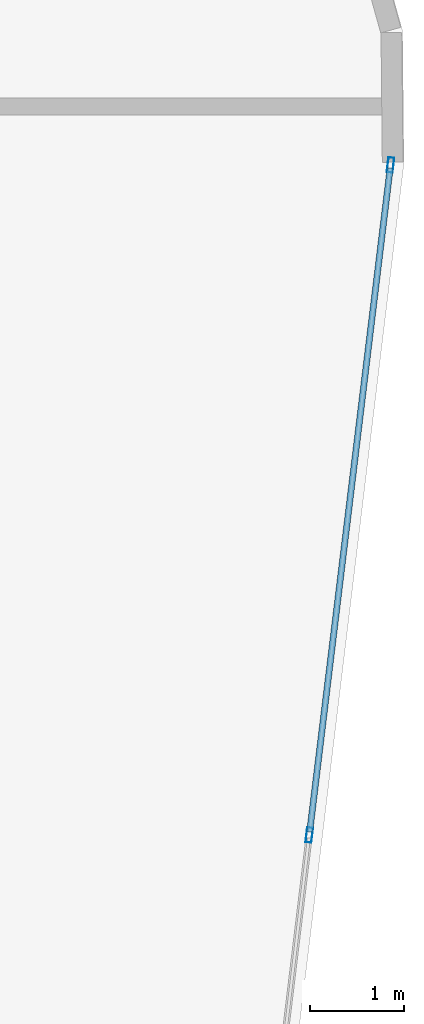
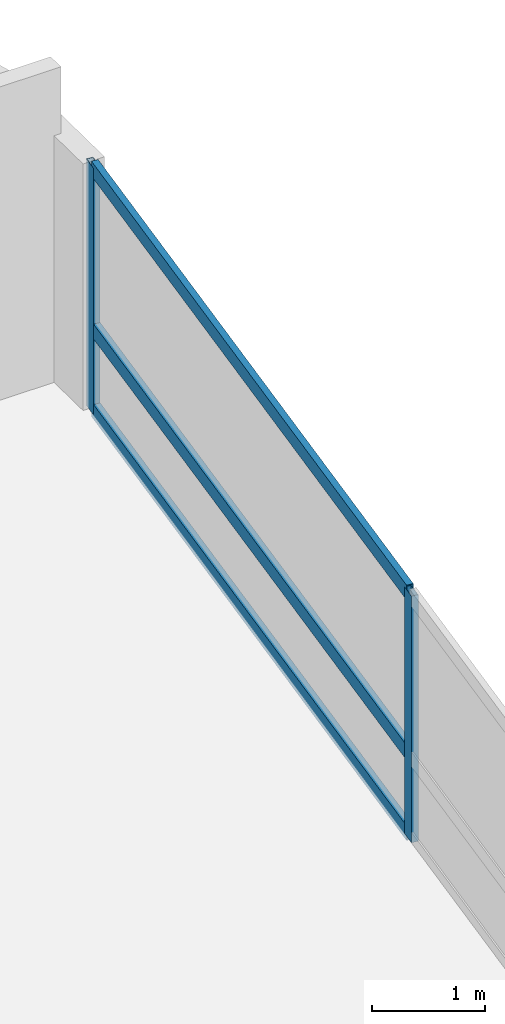
# One storey, part 18 of 26: 5 members, 1 element without a shape of its own.
"""IFC4 building model written with IfcOpenShell, lengths in metres."""

import ifcopenshell
import ifcopenshell.guid

model = None  # the IFC model being written
_history = None  # IfcOwnerHistory: only IFC2X3 demands one
_inside = {}  # id of a spatial element -> (the spatial element, [elements in it])
_under = {}  # id of a project, library or spatial element -> (it, [spatial elements below it])
_declared = {}  # id of a project -> (the project, [libraries it declares])
_typed = {}  # id of a type object -> (the type object, [elements of that type])
_made_of = {}  # id of a material, layer set ... -> (it, [elements and type objects made of it])


def new_model(schema):
    """Start an empty IFC model of exactly this schema.

    Asked for "IFC4X3", IfcOpenShell would pick the latest addendum, in which some entities
    have other attributes; the version numbers below select the first issue.
    IFC2X3 requires an IfcOwnerHistory on every rooted entity: one is made here for all.
    """
    global model, _history
    if schema == "IFC4X3":
        model = ifcopenshell.file(schema_version=(4, 3, 0, 0))
    else:
        model = ifcopenshell.file(schema=schema)
    _inside.clear()
    _under.clear()
    _declared.clear()
    _typed.clear()
    _made_of.clear()
    _history = None
    if model.schema == "IFC2X3":
        org = make("IfcOrganization", Name="unknown")
        user = make(
            "IfcPersonAndOrganization",
            ThePerson=make("IfcPerson", FamilyName="unknown"),
            TheOrganization=org,
        )
        app = make(
            "IfcApplication",
            ApplicationDeveloper=org,
            Version="unknown",
            ApplicationFullName="unknown",
            ApplicationIdentifier="unknown",
        )
        _history = make(
            "IfcOwnerHistory",
            OwningUser=user,
            OwningApplication=app,
            ChangeAction="ADDED",
            CreationDate=0,
        )
    return model


def make(cls, **values):
    """One entity of the class cls with the attributes given. An attribute that is None is left unset."""
    return model.create_entity(
        cls, **{name: value for name, value in values.items() if value is not None}
    )


def rooted(cls, **values):
    """An entity with a GlobalId (a new one), such as an element, a storey or a relation."""
    return make(cls, GlobalId=ifcopenshell.guid.new(), OwnerHistory=_history, **values)


def si_unit(unit_type, name, prefix=None):
    """IfcSIUnit, for example si_unit("LENGTHUNIT", "METRE", prefix="MILLI")."""
    return make("IfcSIUnit", UnitType=unit_type, Prefix=prefix, Name=name)


def assignment(units):
    """IfcUnitAssignment: the units of a project."""
    return None if units is None else make("IfcUnitAssignment", Units=units)


def point(xyz):
    """IfcCartesianPoint."""
    return None if xyz is None else make("IfcCartesianPoint", Coordinates=xyz)


def direction(xyz):
    """IfcDirection."""
    return None if xyz is None else make("IfcDirection", DirectionRatios=xyz)


def frame(location, z_axis=None, x_axis=None):
    """IfcAxis2Placement3D, a coordinate frame: its origin and axes. An axis left out is left unset."""
    return make(
        "IfcAxis2Placement3D",
        Location=point(location),
        Axis=direction(z_axis),
        RefDirection=direction(x_axis),
    )


def frame_2d(location, x_axis=None):
    """IfcAxis2Placement2D, a coordinate frame in the plane: its origin and x axis."""
    return make(
        "IfcAxis2Placement2D", Location=point(location), RefDirection=direction(x_axis)
    )


def origin():
    """The frame at (0, 0, 0) with its axes left unset."""
    return frame((0.0, 0.0, 0.0))


def origin_2d():
    """The frame at (0, 0) in the plane with its x axis left unset."""
    return frame_2d((0.0, 0.0))


def place(relative_to, where):
    """IfcLocalPlacement: puts the frame where relative to a parent placement (None: the world)."""
    return make(
        "IfcLocalPlacement", PlacementRelTo=relative_to, RelativePlacement=where
    )


def context(
    kind, dimensions, precision=None, world=None, true_north=None, identifier=None
):
    """IfcGeometricRepresentationContext, for example the 3D "Model" context."""
    return make(
        "IfcGeometricRepresentationContext",
        ContextIdentifier=identifier,
        ContextType=kind,
        CoordinateSpaceDimension=dimensions,
        Precision=precision,
        WorldCoordinateSystem=world,
        TrueNorth=true_north,
    )


def subcontext(parent, identifier, kind, view, scale=None):
    """IfcGeometricRepresentationSubContext, for example "Body" below "Model"."""
    return make(
        "IfcGeometricRepresentationSubContext",
        ContextIdentifier=identifier,
        ContextType=kind,
        ParentContext=parent,
        TargetScale=scale,
        TargetView=view,
    )


def project(units=None, contexts=None):
    """IfcProject with its units and contexts."""
    return rooted(
        "IfcProject",
        Name="project",
        RepresentationContexts=contexts,
        UnitsInContext=assignment(units),
    )


def spatial(cls, under=None, at=None, **own):
    """A site, building, storey or space (cls), placed at a placement, below another one or the project."""
    s = rooted(cls, ObjectPlacement=at, **own)
    if under is not None:
        _under.setdefault(under.id(), (under, []))[1].append(s)
    return s


def profile(cls, at=None, kind="AREA", **sizes):
    """A parametric profile (cls). Its sizes go by their IFC names, for example OverallWidth=200.0."""
    return make(cls, ProfileType=kind, Position=at, **sizes)


def hollow_rectangle(**sizes):
    """IfcRectangleHollowProfileDef."""
    return profile("IfcRectangleHollowProfileDef", **sizes)


def extrude(swept, where, along, depth):
    """IfcExtrudedAreaSolid: the profile swept, set in the frame where, extruded along a direction by depth."""
    return make(
        "IfcExtrudedAreaSolid",
        SweptArea=swept,
        Position=where,
        ExtrudedDirection=direction(along),
        Depth=depth,
    )


def shape(context_of_items, identifier, shape_type, items):
    """IfcShapeRepresentation: the items that make up one representation, for example the "Body"."""
    return make(
        "IfcShapeRepresentation",
        ContextOfItems=context_of_items,
        RepresentationIdentifier=identifier,
        RepresentationType=shape_type,
        Items=items,
    )


def material(Name=None, Category=None):
    """IfcMaterial."""
    return make("IfcMaterial", Name=Name, Category=Category)


def layer(
    of_material, thickness, ventilated=None, Name=None, Category=None, Priority=None
):
    """IfcMaterialLayer: one layer of a wall or slab, of a material (None: an air gap)."""
    return make(
        "IfcMaterialLayer",
        Material=of_material,
        LayerThickness=thickness,
        IsVentilated=ventilated,
        Name=Name,
        Category=Category,
        Priority=Priority,
    )


def layer_set(layers, Name=None):
    """IfcMaterialLayerSet."""
    return make("IfcMaterialLayerSet", MaterialLayers=layers, LayerSetName=Name)


def material_profile(
    of_material, cross_section, Name=None, Category=None, Priority=None
):
    """IfcMaterialProfile: a cross section and its material."""
    return make(
        "IfcMaterialProfile",
        Name=Name,
        Material=of_material,
        Profile=cross_section,
        Priority=Priority,
        Category=Category,
    )


def profile_set(profiles, Name=None, composite=None):
    """IfcMaterialProfileSet."""
    return make(
        "IfcMaterialProfileSet",
        Name=Name,
        MaterialProfiles=profiles,
        CompositeProfile=composite,
    )


def made_of(thing, what):
    """Note that an element or type object is made of a material, layer set ...; save() writes the relation."""
    if what is not None:
        _made_of.setdefault(what.id(), (what, []))[1].append(thing)
    return thing


def type_object(cls, material=None, **own):
    """A type object (cls), such as IfcWallType, which elements share."""
    return made_of(rooted(cls, **own), material)


def element(
    cls,
    number,
    at=None,
    inside=None,
    cuts=None,
    type_object=None,
    material=None,
    context=None,
    identifier="Body",
    shape_type=None,
    held_by="IfcProductDefinitionShape",
    body=None,
    shapes=None,
    **own,
):
    """One element of the class cls, such as IfcWall. Its Tag is "e" and its number.

    at: its placement. inside: the storey or other place that contains it. cuts: it is an
    opening in that element (IfcRelVoidsElement). A single representation is given by context,
    identifier, shape_type and body (its items); several are given by shapes. held_by: the class
    of the entity that holds the representations. save() writes the other relations.
    """
    e = rooted(cls, Tag="e%d" % number, ObjectPlacement=at, **own)
    if body is not None:
        shapes = [shape(context, identifier, shape_type, body)]
    if shapes is not None:
        e.Representation = make(held_by, Representations=shapes)
    if inside is not None:
        _inside.setdefault(inside.id(), (inside, []))[1].append(e)
    if cuts is not None:
        rooted(
            "IfcRelVoidsElement", RelatingBuildingElement=cuts, RelatedOpeningElement=e
        )
    if type_object is not None:
        _typed.setdefault(type_object.id(), (type_object, []))[1].append(e)
    return made_of(e, material)


def aggregate(whole, parts):
    """IfcRelAggregates: a whole, such as a stair, and the parts it consists of."""
    return rooted("IfcRelAggregates", RelatingObject=whole, RelatedObjects=parts)


def save(model, path):
    """Write the relations noted so far, then the file.

    IfcRelAggregates (storeys below a building ...), IfcRelContainedInSpatialStructure (elements
    in a storey), IfcRelDefinesByType, IfcRelAssociatesMaterial and IfcRelDeclares: one each for
    every whole, place, type object, material and project.
    """
    for whole, parts in _under.values():
        aggregate(whole, parts)
    for where, things in _inside.values():
        rooted(
            "IfcRelContainedInSpatialStructure",
            RelatedElements=things,
            RelatingStructure=where,
        )
    for kind, things in _typed.values():
        rooted("IfcRelDefinesByType", RelatedObjects=things, RelatingType=kind)
    for what, things in _made_of.values():
        rooted("IfcRelAssociatesMaterial", RelatedObjects=things, RelatingMaterial=what)
    for by, libraries in _declared.values():
        rooted("IfcRelDeclares", RelatingContext=by, RelatedDefinitions=libraries)
    model.write(path)


model = new_model("IFC4")

# Units and contexts
model_context = context("Model", 3, precision=1e-05, world=origin(), true_north=direction((0.0, 1.0)))
body_context = subcontext(model_context, "Body", "Model", "MODEL_VIEW")
ifc_project = project(units=[si_unit("LENGTHUNIT", "METRE"), si_unit("AREAUNIT", "SQUARE_METRE"), si_unit("VOLUMEUNIT", "CUBIC_METRE"), si_unit("PLANEANGLEUNIT", "RADIAN"), si_unit("MASSUNIT", "GRAM", prefix="KILO")], contexts=[model_context])

# Site, building, storey
site_placement = place(None, origin())
site = spatial("IfcSite", under=ifc_project, at=site_placement, CompositionType="ELEMENT")
building_placement = place(site_placement, origin())
building = spatial("IfcBuilding", under=site, at=building_placement, Name="Varnelok Gate Tower", CompositionType="ELEMENT")
storey_placement = place(building_placement, frame((0.0, 0.0, 158.699951171875)))
storey = spatial("IfcBuildingStorey", under=building, at=storey_placement, Name="L40", CompositionType="ELEMENT", Elevation=158.699951171875)

# Curtain wall, members
ifc_material = material(Name="Anodized Aluminum Alloy 6063-T6", Category="aluminium")
ifc_layer = layer(ifc_material, 0.179931640625)
ifc_layer_set = layer_set([ifc_layer], Name="Anodized Aluminum Alloy 6063-T6")
curtain_wall_type = type_object("IfcCurtainWallType", Name="CW3-HOTEL-VISION", PredefinedType="USERDEFINED", material=ifc_layer_set)
curtain_wall_placement = place(storey_placement, origin())
curtain_wall = element("IfcCurtainWall", 1, at=curtain_wall_placement, inside=storey, type_object=curtain_wall_type, Name="L40 East End Vision Curtain Wall", ObjectType="UNITISED CURTAIN WALL", PredefinedType="USERDEFINED")
ifc_material_profile_1 = material_profile(ifc_material, hollow_rectangle(XDim=0.06494140625, YDim=0.159912109375, WallThickness=0.00390625, at=origin_2d()), Name="ALU160X65X4")
ifc_profile_set_1 = profile_set([ifc_material_profile_1], Name="Anodized Aluminum Alloy 6063-T6")
member_type_1 = type_object("IfcMemberType", Name="CW-MULL-160", PredefinedType="MULLION", material=ifc_profile_set_1)
member_1_placement = place(storey_placement, frame((78.153076171875, 38.677001953125, 0.0), z_axis=(0.0, 0.0, 1.0), x_axis=(0.99273188146, -0.120347046212, 0.0)))
member_1 = element("IfcMember", 2, at=member_1_placement, type_object=member_type_1, Name="CW3 mullion 1", PredefinedType="MULLION", context=body_context, shape_type="SweptSolid", body=[
    extrude(hollow_rectangle(XDim=0.06494140625, YDim=0.159912109375, WallThickness=0.00390625, at=origin_2d()), origin(), (0.0, 0.0, 1.0), 2.66015625),
])
member_2_placement = place(storey_placement, frame((77.290283203125, 31.5615234375, 0.0), z_axis=(0.0, 0.0, 1.0), x_axis=(0.99273188146, -0.120347046212, 0.0)))
member_2 = element("IfcMember", 3, at=member_2_placement, type_object=member_type_1, Name="CW3 mullion 2", PredefinedType="MULLION", context=body_context, shape_type="SweptSolid", body=[
    extrude(hollow_rectangle(XDim=0.06494140625, YDim=0.159912109375, WallThickness=0.00390625, at=origin_2d()), origin(), (0.0, 0.0, 1.0), 2.66015625),
])
ifc_material_profile_2 = material_profile(ifc_material, hollow_rectangle(XDim=0.06494140625, YDim=0.159912109375, WallThickness=0.00390625, at=origin_2d()), Name="ALU160X65X4")
ifc_profile_set_2 = profile_set([ifc_material_profile_2], Name="Anodized Aluminum Alloy 6063-T6")
member_type_2 = type_object("IfcMemberType", Name="CW-TRAN-160", PredefinedType="USERDEFINED", material=ifc_profile_set_2)
member_3_placement = place(storey_placement, frame((78.149169921875, 38.644775390625, 0.032470703125), z_axis=(-0.120374481497, -0.992728555147, 0.0), x_axis=(0.992728555147, -0.120374481497, 0.0)))
member_3 = element("IfcMember", 4, at=member_3_placement, type_object=member_type_2, Name="CW3 transom 1.1", ObjectType="TRANSOM", PredefinedType="USERDEFINED", context=body_context, shape_type="SweptSolid", body=[
    extrude(hollow_rectangle(XDim=0.06494140625, YDim=0.159912109375, WallThickness=0.00390625, at=origin_2d()), origin(), (0.0, 0.0, 1.0), 7.102783203125),
])
member_4_placement = place(storey_placement, frame((78.149169921875, 38.644775390625, 0.900146484375), z_axis=(-0.120374481497, -0.992728555147, 0.0), x_axis=(0.992728555147, -0.120374481497, 0.0)))
member_4 = element("IfcMember", 5, at=member_4_placement, type_object=member_type_2, Name="CW3 transom 1.2", ObjectType="TRANSOM", PredefinedType="USERDEFINED", context=body_context, shape_type="SweptSolid", body=[
    extrude(hollow_rectangle(XDim=0.06494140625, YDim=0.159912109375, WallThickness=0.00390625, at=origin_2d()), origin(), (0.0, 0.0, 1.0), 7.102783203125),
])
member_5_placement = place(storey_placement, frame((78.149169921875, 38.644775390625, 2.62744140625), z_axis=(-0.120374481497, -0.992728555147, 0.0), x_axis=(0.992728555147, -0.120374481497, 0.0)))
member_5 = element("IfcMember", 6, at=member_5_placement, type_object=member_type_2, Name="CW3 transom 1.3", ObjectType="TRANSOM", PredefinedType="USERDEFINED", context=body_context, shape_type="SweptSolid", body=[
    extrude(hollow_rectangle(XDim=0.06494140625, YDim=0.159912109375, WallThickness=0.00390625, at=origin_2d()), origin(), (0.0, 0.0, 1.0), 7.102783203125),
])
aggregate(curtain_wall, [member_1, member_2, member_3, member_4, member_5])

save(model, "model.ifc")
